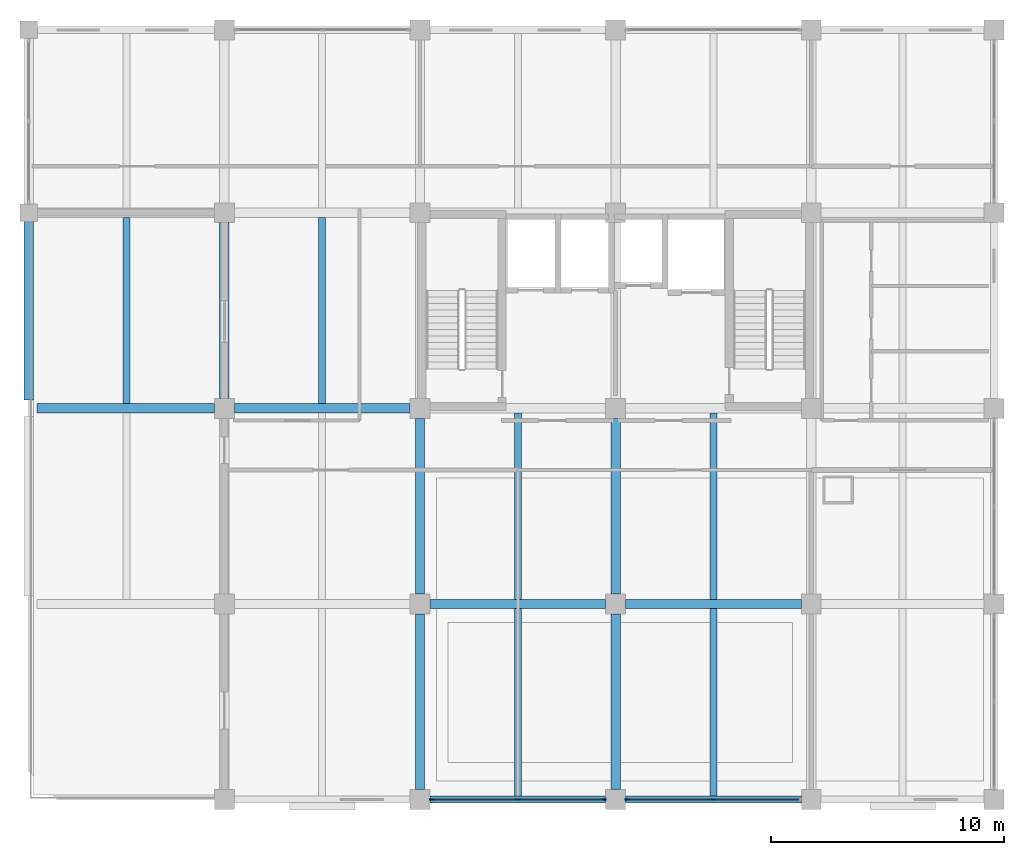
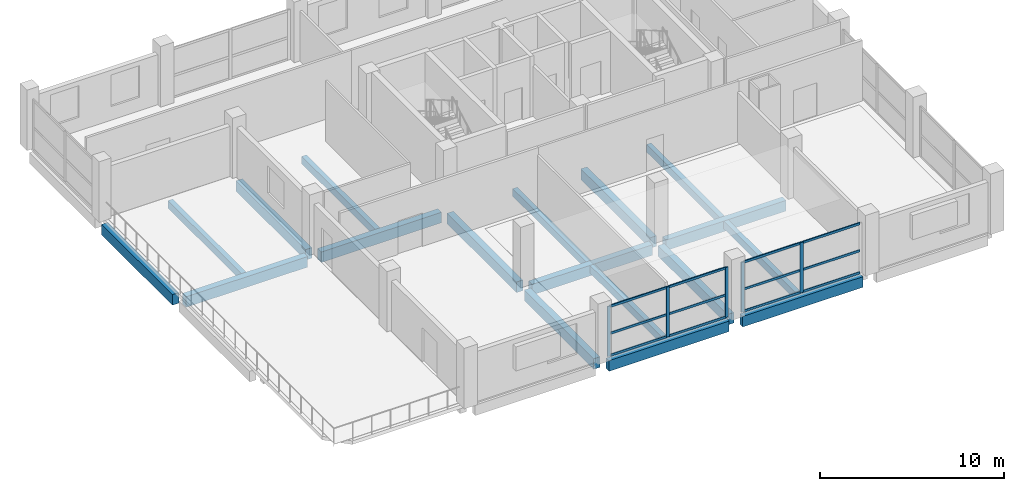
# One storey, part 2 of 10: 18 beams, 17 members, 2 elements without a shape of their own.
"""IFC4 building model written with IfcOpenShell, lengths in metres."""

from ifc_helpers import new_model, si_unit, direction, frame, origin, origin_2d, place, context, subcontext, project, spatial, rectangle, extrude, material, material_profile, profile_set, type_object, element, aggregate, save


model = new_model("IFC4")

# Units and contexts
model_context = context("Model", 3, precision=1e-05, world=origin(), true_north=direction((0.0, 1.0)))
body_context = subcontext(model_context, "Body", "Model", "MODEL_VIEW")
ifc_project = project(units=[si_unit("LENGTHUNIT", "METRE"), si_unit("AREAUNIT", "SQUARE_METRE"), si_unit("VOLUMEUNIT", "CUBIC_METRE"), si_unit("PLANEANGLEUNIT", "RADIAN"), si_unit("MASSUNIT", "GRAM", prefix="KILO")], contexts=[model_context])

# Site, building, storey
site_placement = place(None, origin())
site = spatial("IfcSite", under=ifc_project, at=site_placement, CompositionType="ELEMENT")
building_placement = place(site_placement, origin())
building = spatial("IfcBuilding", under=site, at=building_placement, Name="Brinegate Botanical Conservatory", CompositionType="ELEMENT")
storey_placement = place(building_placement, frame((0.0, 0.0, 27.60009765625)))
storey = spatial("IfcBuildingStorey", under=building, at=storey_placement, Name="L07", CompositionType="ELEMENT", Elevation=27.60009765625)

# Beams
ifc_material_1 = material(Name="Concrete C40/50", Category="concrete")
ifc_material_profile_1 = material_profile(ifc_material_1, rectangle(XDim=0.39990234375, YDim=0.699951171875, at=origin_2d()), Name="RC BM 400x700")
ifc_profile_set_1 = profile_set([ifc_material_profile_1], Name="Concrete C40/50")
beam_type_1 = type_object("IfcBeamType", Name="Beam_BM-T2", PredefinedType="BEAM", material=ifc_profile_set_1)
beam_1_placement = place(storey_placement, frame((139.22509765625, 86.800048828125, -0.550048828125), z_axis=(1.0, 0.0, 0.0), x_axis=(0.0, 1.0, 0.0)))
element("IfcBeam", 1, at=beam_1_placement, inside=storey, type_object=beam_type_1, Name="Beam BM-T2 L07 L:18-19", PredefinedType="BEAM", context=body_context, shape_type="SweptSolid", body=[
    extrude(rectangle(XDim=0.39990234375, YDim=0.699951171875, at=origin_2d()), origin(), (0.0, 0.0, 1.0), 7.5498046875),
])
beam_2_placement = place(storey_placement, frame((147.625, 86.800048828125, -0.550048828125), z_axis=(1.0, 0.0, 0.0), x_axis=(0.0, 1.0, 0.0)))
element("IfcBeam", 2, at=beam_2_placement, inside=storey, type_object=beam_type_1, Name="Beam BM-T2 L07 L:19-20", PredefinedType="BEAM", context=body_context, shape_type="SweptSolid", body=[
    extrude(rectangle(XDim=0.39990234375, YDim=0.699951171875, at=origin_2d()), origin(), (0.0, 0.0, 1.0), 7.550048828125),
])
beam_3_placement = place(storey_placement, frame((122.35009765625, 95.199951171875, -0.550048828125), z_axis=(1.0, 0.0, 0.0), x_axis=(0.0, 1.0, 0.0)))
element("IfcBeam", 3, at=beam_3_placement, inside=storey, type_object=beam_type_1, Name="Beam BM-T2 L07 M:16-17", PredefinedType="BEAM", context=body_context, shape_type="SweptSolid", body=[
    extrude(rectangle(XDim=0.39990234375, YDim=0.699951171875, at=origin_2d()), origin(), (0.0, 0.0, 1.0), 7.625),
])
beam_4_placement = place(storey_placement, frame((130.824951171875, 95.199951171875, -0.550048828125), z_axis=(1.0, 0.0, 0.0), x_axis=(0.0, 1.0, 0.0)))
element("IfcBeam", 4, at=beam_4_placement, inside=storey, type_object=beam_type_1, Name="Beam BM-T2 L07 M:17-18", PredefinedType="BEAM", context=body_context, shape_type="SweptSolid", body=[
    extrude(rectangle(XDim=0.39990234375, YDim=0.699951171875, at=origin_2d()), origin(), (0.0, 0.0, 1.0), 7.550048828125),
])
beam_5_placement = place(storey_placement, frame((122.0, 95.550048828125, -0.550048828125), z_axis=(0.0, 1.0, 0.0), x_axis=(-1.0, 0.0, 0.0)))
element("IfcBeam", 5, at=beam_5_placement, inside=storey, type_object=beam_type_1, Name="Beam BM-T2 L07 16:M-N", PredefinedType="BEAM", context=body_context, shape_type="SweptSolid", body=[
    extrude(rectangle(XDim=0.39990234375, YDim=0.699951171875, at=origin_2d()), origin(), (0.0, 0.0, 1.0), 7.699951171875),
])
for number, where, z_axis, x_axis, name in (
    (6, (130.39990234375, 95.625, -0.550048828125), (0.0, 1.0, 0.0), (-1.0, 0.0, 0.0), "Beam BM-T2 L07 17:M-N"),
    (7, (138.800048828125, 78.824951171875, -0.550048828125), (0.0, 1.0, 0.0), (-1.0, 0.0, 0.0), "Beam BM-T2 L07 18:K-L"),
):
    element("IfcBeam", number, at=place(storey_placement, frame(where, z_axis=z_axis, x_axis=x_axis)), inside=storey, type_object=beam_type_1, Name=name, PredefinedType="BEAM", context=body_context, shape_type="SweptSolid", body=[
        extrude(rectangle(XDim=0.39990234375, YDim=0.699951171875, at=origin_2d()), origin(), (0.0, 0.0, 1.0), 7.550048828125),
    ])
beam_6_placement = place(storey_placement, frame((138.800048828125, 87.22509765625, -0.550048828125), z_axis=(0.0, 1.0, 0.0), x_axis=(-1.0, 0.0, 0.0)))
element("IfcBeam", 8, at=beam_6_placement, inside=storey, type_object=beam_type_1, Name="Beam BM-T2 L07 18:L-M", PredefinedType="BEAM", context=body_context, shape_type="SweptSolid", body=[
    extrude(rectangle(XDim=0.39990234375, YDim=0.699951171875, at=origin_2d()), origin(), (0.0, 0.0, 1.0), 7.5498046875),
])
beam_7_placement = place(storey_placement, frame((147.199951171875, 78.824951171875, -0.550048828125), z_axis=(0.0, 1.0, 0.0), x_axis=(-1.0, 0.0, 0.0)))
element("IfcBeam", 9, at=beam_7_placement, inside=storey, type_object=beam_type_1, Name="Beam BM-T2 L07 19:K-L", PredefinedType="BEAM", context=body_context, shape_type="SweptSolid", body=[
    extrude(rectangle(XDim=0.39990234375, YDim=0.699951171875, at=origin_2d()), origin(), (0.0, 0.0, 1.0), 7.550048828125),
])
beam_8_placement = place(storey_placement, frame((147.199951171875, 87.22509765625, -0.550048828125), z_axis=(0.0, 1.0, 0.0), x_axis=(-1.0, 0.0, 0.0)))
element("IfcBeam", 10, at=beam_8_placement, inside=storey, type_object=beam_type_1, Name="Beam BM-T2 L07 19:L-M", PredefinedType="BEAM", context=body_context, shape_type="SweptSolid", body=[
    extrude(rectangle(XDim=0.39990234375, YDim=0.699951171875, at=origin_2d()), origin(), (0.0, 0.0, 1.0), 7.5498046875),
])
ifc_material_profile_2 = material_profile(ifc_material_1, rectangle(XDim=0.300048828125, YDim=0.5, at=origin_2d()), Name="RC JST 300x500")
ifc_profile_set_2 = profile_set([ifc_material_profile_2], Name="Concrete C40/50")
beam_type_2 = type_object("IfcBeamType", Name="Beam_JS-C2", PredefinedType="JOIST", material=ifc_profile_set_2)
for number, where, z_axis, x_axis, name in (
    (11, (126.199951171875, 95.39990234375, -0.4501953125), (0.0, 1.0, 0.0), (-1.0, 0.0, 0.0), "Floor joist JS-C2 L07 bay 16.12"),
    (12, (134.60009765625, 95.39990234375, -0.4501953125), (0.0, 1.0, 0.0), (-1.0, 0.0, 0.0), "Floor joist JS-C2 L07 bay 17.12"),
):
    element("IfcBeam", number, at=place(storey_placement, frame(where, z_axis=z_axis, x_axis=x_axis)), inside=storey, type_object=beam_type_2, Name=name, PredefinedType="JOIST", context=body_context, shape_type="SweptSolid", body=[
        extrude(rectangle(XDim=0.300048828125, YDim=0.5, at=origin_2d()), origin(), (0.0, 0.0, 1.0), 8.0),
    ])
beam_9_placement = place(storey_placement, frame((143.0, 78.550048828125, -0.4501953125), z_axis=(0.0, 1.0, 0.0), x_axis=(-1.0, 0.0, 0.0)))
element("IfcBeam", 13, at=beam_9_placement, inside=storey, type_object=beam_type_2, Name="Floor joist JS-C2 L07 bay 18.10", PredefinedType="JOIST", context=body_context, shape_type="SweptSolid", body=[
    extrude(rectangle(XDim=0.300048828125, YDim=0.5, at=origin_2d()), origin(), (0.0, 0.0, 1.0), 8.050048828125),
])
beam_10_placement = place(storey_placement, frame((143.0, 87.0, -0.4501953125), z_axis=(0.0, 1.0, 0.0), x_axis=(-1.0, 0.0, 0.0)))
element("IfcBeam", 14, at=beam_10_placement, inside=storey, type_object=beam_type_2, Name="Floor joist JS-C2 L07 bay 18.11", PredefinedType="JOIST", context=body_context, shape_type="SweptSolid", body=[
    extrude(rectangle(XDim=0.300048828125, YDim=0.5, at=origin_2d()), origin(), (0.0, 0.0, 1.0), 8.0),
])
beam_11_placement = place(storey_placement, frame((151.39990234375, 78.550048828125, -0.4501953125), z_axis=(0.0, 1.0, 0.0), x_axis=(-1.0, 0.0, 0.0)))
element("IfcBeam", 15, at=beam_11_placement, inside=storey, type_object=beam_type_2, Name="Floor joist JS-C2 L07 bay 19.10", PredefinedType="JOIST", context=body_context, shape_type="SweptSolid", body=[
    extrude(rectangle(XDim=0.300048828125, YDim=0.5, at=origin_2d()), origin(), (0.0, 0.0, 1.0), 8.050048828125),
])
beam_12_placement = place(storey_placement, frame((151.39990234375, 87.0, -0.4501953125), z_axis=(0.0, 1.0, 0.0), x_axis=(-1.0, 0.0, 0.0)))
element("IfcBeam", 16, at=beam_12_placement, inside=storey, type_object=beam_type_2, Name="Floor joist JS-C2 L07 bay 19.11", PredefinedType="JOIST", context=body_context, shape_type="SweptSolid", body=[
    extrude(rectangle(XDim=0.300048828125, YDim=0.5, at=origin_2d()), origin(), (0.0, 0.0, 1.0), 8.0),
])
ifc_material_profile_3 = material_profile(ifc_material_1, rectangle(XDim=0.300048828125, YDim=0.699951171875, at=origin_2d()), Name="RC SPN 300x700")
ifc_profile_set_3 = profile_set([ifc_material_profile_3], Name="Concrete C40/50")
beam_type_3 = type_object("IfcBeamType", Name="Beam_SP-02", PredefinedType="SPANDREL", material=ifc_profile_set_3)
beam_13_placement = place(storey_placement, frame((139.22509765625, 78.39990234375, -0.550048828125), z_axis=(1.0, 0.0, 0.0), x_axis=(0.0, 1.0, 0.0)))
element("IfcBeam", 17, at=beam_13_placement, inside=storey, type_object=beam_type_3, Name="Beam SP-02 L07 K:18-19", PredefinedType="SPANDREL", context=body_context, shape_type="SweptSolid", body=[
    extrude(rectangle(XDim=0.300048828125, YDim=0.699951171875, at=origin_2d()), origin(), (0.0, 0.0, 1.0), 7.5498046875),
])
beam_14_placement = place(storey_placement, frame((147.625, 78.39990234375, -0.550048828125), z_axis=(1.0, 0.0, 0.0), x_axis=(0.0, 1.0, 0.0)))
element("IfcBeam", 18, at=beam_14_placement, inside=storey, type_object=beam_type_3, Name="Beam SP-02 L07 K:19-20", PredefinedType="SPANDREL", context=body_context, shape_type="SweptSolid", body=[
    extrude(rectangle(XDim=0.300048828125, YDim=0.699951171875, at=origin_2d()), origin(), (0.0, 0.0, 1.0), 7.550048828125),
])

# Curtain wall, members
ifc_material_2 = material(Name="Thermally broken anodised aluminium AW-6063-T6", Category="aluminium")
curtain_wall_type = type_object("IfcCurtainWallType", Name="CW_CW-TW1", PredefinedType="USERDEFINED", material=ifc_material_2)
curtain_wall_1_placement = place(storey_placement, origin())
curtain_wall_1 = element("IfcCurtainWall", 19, at=curtain_wall_1_placement, inside=storey, type_object=curtain_wall_type, Name="Tower south curtain wall L07.2", ObjectType="FACTORY CURTAIN WALL", PredefinedType="USERDEFINED")
ifc_material_profile_4 = material_profile(ifc_material_2, rectangle(XDim=0.070068359375, YDim=0.199951171875, at=origin_2d()), Name="ALUM MULLION 70x200")
ifc_profile_set_4 = profile_set([ifc_material_profile_4], Name="Thermally broken anodised aluminium AW-6063-T6")
member_type_1 = type_object("IfcMemberType", Name="Member_ML-03", PredefinedType="MULLION", material=ifc_profile_set_4)
member_1_placement = place(storey_placement, frame((146.699951171875, 78.39990234375, 0.0), z_axis=(0.0, 0.0, 1.0), x_axis=(0.0, -1.0, 0.0)))
member_1 = element("IfcMember", 20, at=member_1_placement, type_object=member_type_1, Name="CW-TW1 mullion 1", PredefinedType="MULLION", context=body_context, shape_type="SweptSolid", body=[
    extrude(rectangle(XDim=0.070068359375, YDim=0.199951171875, at=origin_2d()), origin(), (0.0, 0.0, 1.0), 3.31982421875),
])
member_2_placement = place(storey_placement, frame((143.0, 78.39990234375, 0.0), z_axis=(0.0, 0.0, 1.0), x_axis=(0.0, -1.0, 0.0)))
member_2 = element("IfcMember", 21, at=member_2_placement, type_object=member_type_1, Name="CW-TW1 mullion 2", PredefinedType="MULLION", context=body_context, shape_type="SweptSolid", body=[
    extrude(rectangle(XDim=0.070068359375, YDim=0.199951171875, at=origin_2d()), origin(), (0.0, 0.0, 1.0), 3.31982421875),
])
member_3_placement = place(storey_placement, frame((139.300048828125, 78.39990234375, 0.0), z_axis=(0.0, 0.0, 1.0), x_axis=(0.0, -1.0, 0.0)))
member_3 = element("IfcMember", 22, at=member_3_placement, type_object=member_type_1, Name="CW-TW1 mullion 3", PredefinedType="MULLION", context=body_context, shape_type="SweptSolid", body=[
    extrude(rectangle(XDim=0.070068359375, YDim=0.199951171875, at=origin_2d()), origin(), (0.0, 0.0, 1.0), 3.31982421875),
])

curtain_wall_2_placement = place(storey_placement, origin())
curtain_wall_2 = element("IfcCurtainWall", 23, at=curtain_wall_2_placement, inside=storey, type_object=curtain_wall_type, Name="Tower south curtain wall L07.3", ObjectType="FACTORY CURTAIN WALL", PredefinedType="USERDEFINED")
member_4_placement = place(storey_placement, frame((151.39990234375, 78.39990234375, 0.0), z_axis=(0.0, 0.0, 1.0), x_axis=(0.0, -1.0, 0.0)))
member_4 = element("IfcMember", 24, at=member_4_placement, type_object=member_type_1, Name="CW-TW1 mullion 2", PredefinedType="MULLION", context=body_context, shape_type="SweptSolid", body=[
    extrude(rectangle(XDim=0.070068359375, YDim=0.199951171875, at=origin_2d()), origin(), (0.0, 0.0, 1.0), 3.31982421875),
])
member_5_placement = place(storey_placement, frame((147.699951171875, 78.39990234375, 0.0), z_axis=(0.0, 0.0, 1.0), x_axis=(0.0, -1.0, 0.0)))
member_5 = element("IfcMember", 25, at=member_5_placement, type_object=member_type_1, Name="CW-TW1 mullion 3", PredefinedType="MULLION", context=body_context, shape_type="SweptSolid", body=[
    extrude(rectangle(XDim=0.070068359375, YDim=0.199951171875, at=origin_2d()), origin(), (0.0, 0.0, 1.0), 3.31982421875),
])

# Member
ifc_material_profile_5 = material_profile(ifc_material_2, rectangle(XDim=0.070068359375, YDim=0.14990234375, at=origin_2d()), Name="ALUM TRANSOM 70x150")
ifc_profile_set_5 = profile_set([ifc_material_profile_5], Name="Thermally broken anodised aluminium AW-6063-T6")
member_type_2 = type_object("IfcMemberType", Name="Member_TR-03", PredefinedType="USERDEFINED", material=ifc_profile_set_5)
member_6_placement = place(storey_placement, frame((146.6650390625, 78.39990234375, 0.034912109375), z_axis=(-1.0, 0.0, 0.0), x_axis=(0.0, -1.0, 0.0)))
member_6 = element("IfcMember", 26, at=member_6_placement, type_object=member_type_2, Name="CW-TW1 transom 1.1", ObjectType="TRANSOM", PredefinedType="USERDEFINED", context=body_context, shape_type="SweptSolid", body=[
    extrude(rectangle(XDim=0.070068359375, YDim=0.14990234375, at=origin_2d()), origin(), (0.0, 0.0, 1.0), 3.630126953125),
])

member_7_placement = place(storey_placement, frame((146.6650390625, 78.39990234375, 1.493896484375), z_axis=(-1.0, 0.0, 0.0), x_axis=(0.0, -1.0, 0.0)))
member_7 = element("IfcMember", 27, at=member_7_placement, type_object=member_type_2, Name="CW-TW1 transom 1.2", ObjectType="TRANSOM", PredefinedType="USERDEFINED", context=body_context, shape_type="SweptSolid", body=[
    extrude(rectangle(XDim=0.070068359375, YDim=0.14990234375, at=origin_2d()), origin(), (0.0, 0.0, 1.0), 3.630126953125),
])

member_8_placement = place(storey_placement, frame((146.6650390625, 78.39990234375, 3.284912109375), z_axis=(-1.0, 0.0, 0.0), x_axis=(0.0, -1.0, 0.0)))
member_8 = element("IfcMember", 28, at=member_8_placement, type_object=member_type_2, Name="CW-TW1 transom 1.3", ObjectType="TRANSOM", PredefinedType="USERDEFINED", context=body_context, shape_type="SweptSolid", body=[
    extrude(rectangle(XDim=0.070068359375, YDim=0.14990234375, at=origin_2d()), origin(), (0.0, 0.0, 1.0), 3.630126953125),
])

member_9_placement = place(storey_placement, frame((142.965087890625, 78.39990234375, 0.034912109375), z_axis=(-1.0, 0.0, 0.0), x_axis=(0.0, -1.0, 0.0)))
member_9 = element("IfcMember", 29, at=member_9_placement, type_object=member_type_2, Name="CW-TW1 transom 2.1", ObjectType="TRANSOM", PredefinedType="USERDEFINED", context=body_context, shape_type="SweptSolid", body=[
    extrude(rectangle(XDim=0.070068359375, YDim=0.14990234375, at=origin_2d()), origin(), (0.0, 0.0, 1.0), 3.630126953125),
])

member_10_placement = place(storey_placement, frame((142.965087890625, 78.39990234375, 1.493896484375), z_axis=(-1.0, 0.0, 0.0), x_axis=(0.0, -1.0, 0.0)))
member_10 = element("IfcMember", 30, at=member_10_placement, type_object=member_type_2, Name="CW-TW1 transom 2.2", ObjectType="TRANSOM", PredefinedType="USERDEFINED", context=body_context, shape_type="SweptSolid", body=[
    extrude(rectangle(XDim=0.070068359375, YDim=0.14990234375, at=origin_2d()), origin(), (0.0, 0.0, 1.0), 3.630126953125),
])

member_11_placement = place(storey_placement, frame((142.965087890625, 78.39990234375, 3.284912109375), z_axis=(-1.0, 0.0, 0.0), x_axis=(0.0, -1.0, 0.0)))
member_11 = element("IfcMember", 31, at=member_11_placement, type_object=member_type_2, Name="CW-TW1 transom 2.3", ObjectType="TRANSOM", PredefinedType="USERDEFINED", context=body_context, shape_type="SweptSolid", body=[
    extrude(rectangle(XDim=0.070068359375, YDim=0.14990234375, at=origin_2d()), origin(), (0.0, 0.0, 1.0), 3.630126953125),
])

aggregate(curtain_wall_1, [member_1, member_2, member_3, member_6, member_7, member_8, member_9, member_10, member_11])

member_12_placement = place(storey_placement, frame((155.06494140625, 78.39990234375, 0.034912109375), z_axis=(-1.0, 0.0, 0.0), x_axis=(0.0, -1.0, 0.0)))
member_12 = element("IfcMember", 32, at=member_12_placement, type_object=member_type_2, Name="CW-TW1 transom 1.1", ObjectType="TRANSOM", PredefinedType="USERDEFINED", context=body_context, shape_type="SweptSolid", body=[
    extrude(rectangle(XDim=0.070068359375, YDim=0.14990234375, at=origin_2d()), origin(), (0.0, 0.0, 1.0), 3.6298828125),
])

member_13_placement = place(storey_placement, frame((155.06494140625, 78.39990234375, 1.493896484375), z_axis=(-1.0, 0.0, 0.0), x_axis=(0.0, -1.0, 0.0)))
member_13 = element("IfcMember", 33, at=member_13_placement, type_object=member_type_2, Name="CW-TW1 transom 1.2", ObjectType="TRANSOM", PredefinedType="USERDEFINED", context=body_context, shape_type="SweptSolid", body=[
    extrude(rectangle(XDim=0.070068359375, YDim=0.14990234375, at=origin_2d()), origin(), (0.0, 0.0, 1.0), 3.6298828125),
])

member_14_placement = place(storey_placement, frame((155.06494140625, 78.39990234375, 3.284912109375), z_axis=(-1.0, 0.0, 0.0), x_axis=(0.0, -1.0, 0.0)))
member_14 = element("IfcMember", 34, at=member_14_placement, type_object=member_type_2, Name="CW-TW1 transom 1.3", ObjectType="TRANSOM", PredefinedType="USERDEFINED", context=body_context, shape_type="SweptSolid", body=[
    extrude(rectangle(XDim=0.070068359375, YDim=0.14990234375, at=origin_2d()), origin(), (0.0, 0.0, 1.0), 3.6298828125),
])

member_15_placement = place(storey_placement, frame((151.364990234375, 78.39990234375, 0.034912109375), z_axis=(-1.0, 0.0, 0.0), x_axis=(0.0, -1.0, 0.0)))
member_15 = element("IfcMember", 35, at=member_15_placement, type_object=member_type_2, Name="CW-TW1 transom 2.1", ObjectType="TRANSOM", PredefinedType="USERDEFINED", context=body_context, shape_type="SweptSolid", body=[
    extrude(rectangle(XDim=0.070068359375, YDim=0.14990234375, at=origin_2d()), origin(), (0.0, 0.0, 1.0), 3.6298828125),
])

member_16_placement = place(storey_placement, frame((151.364990234375, 78.39990234375, 1.493896484375), z_axis=(-1.0, 0.0, 0.0), x_axis=(0.0, -1.0, 0.0)))
member_16 = element("IfcMember", 36, at=member_16_placement, type_object=member_type_2, Name="CW-TW1 transom 2.2", ObjectType="TRANSOM", PredefinedType="USERDEFINED", context=body_context, shape_type="SweptSolid", body=[
    extrude(rectangle(XDim=0.070068359375, YDim=0.14990234375, at=origin_2d()), origin(), (0.0, 0.0, 1.0), 3.6298828125),
])

member_17_placement = place(storey_placement, frame((151.364990234375, 78.39990234375, 3.284912109375), z_axis=(-1.0, 0.0, 0.0), x_axis=(0.0, -1.0, 0.0)))
member_17 = element("IfcMember", 37, at=member_17_placement, type_object=member_type_2, Name="CW-TW1 transom 2.3", ObjectType="TRANSOM", PredefinedType="USERDEFINED", context=body_context, shape_type="SweptSolid", body=[
    extrude(rectangle(XDim=0.070068359375, YDim=0.14990234375, at=origin_2d()), origin(), (0.0, 0.0, 1.0), 3.6298828125),
])

aggregate(curtain_wall_2, [member_4, member_5, member_12, member_13, member_14, member_15, member_16, member_17])

save(model, "model.ifc")
